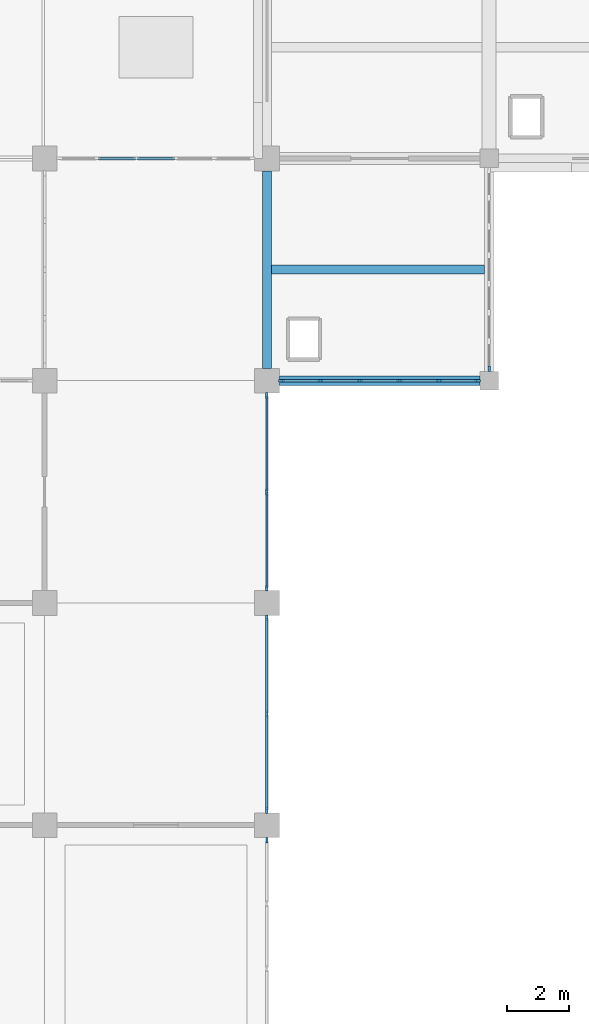
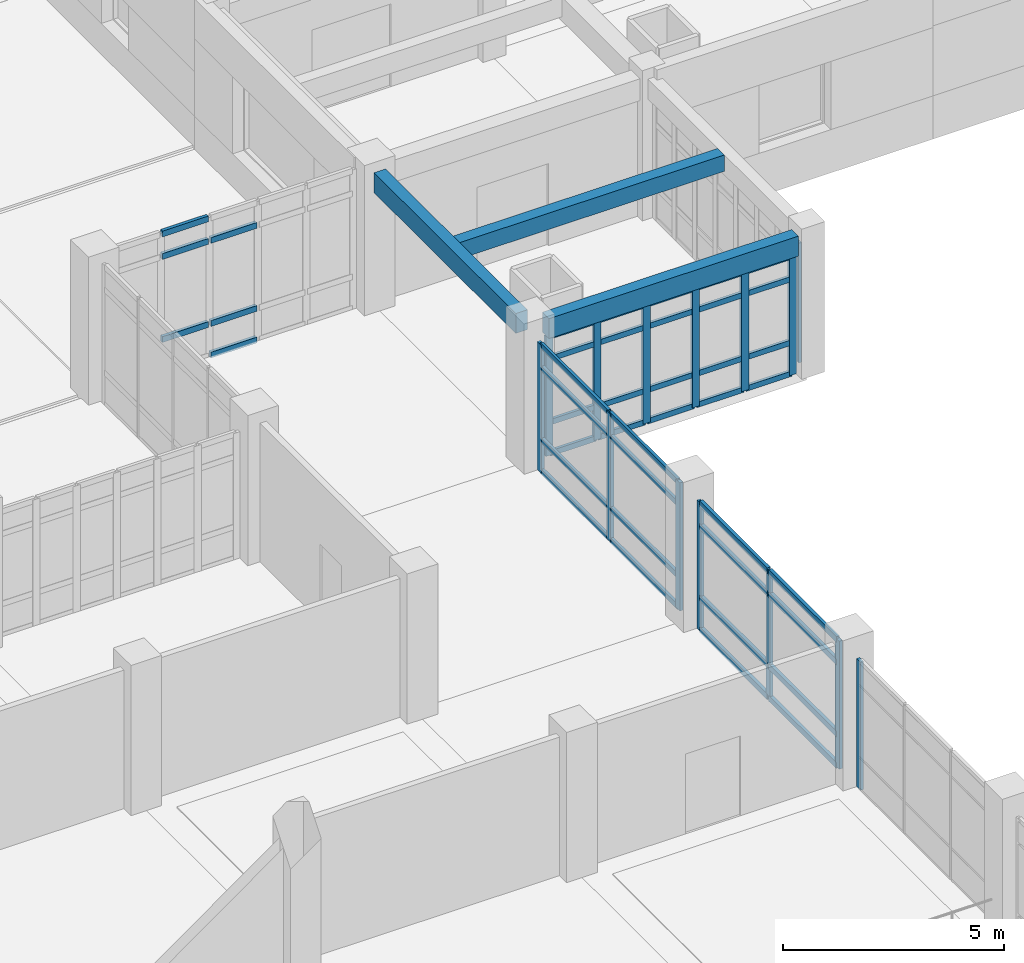
# One storey, part 12 of 62: 56 members, 3 beams, 6 elements without a shape of their own.
"""IFC4 building model written with IfcOpenShell, lengths in metres."""

from ifc_helpers import new_model, si_unit, direction, frame, origin, origin_2d, place, context, subcontext, project, spatial, rectangle, extrude, material, layer, layer_set, material_profile, profile_set, type_object, element, aggregate, save


model = new_model("IFC4")

# Units and contexts
model_context = context("Model", 3, precision=1e-05, world=origin(), true_north=direction((0.0, 1.0)))
body_context = subcontext(model_context, "Body", "Model", "MODEL_VIEW")
ifc_project = project(units=[si_unit("LENGTHUNIT", "METRE"), si_unit("AREAUNIT", "SQUARE_METRE"), si_unit("VOLUMEUNIT", "CUBIC_METRE"), si_unit("PLANEANGLEUNIT", "RADIAN"), si_unit("MASSUNIT", "GRAM", prefix="KILO")], contexts=[model_context])

# Site, building, storey
site_placement = place(None, origin())
site = spatial("IfcSite", under=ifc_project, at=site_placement, CompositionType="ELEMENT")
building_placement = place(site_placement, origin())
building = spatial("IfcBuilding", under=site, at=building_placement, Name="Kavelor Marine Aquarium", CompositionType="ELEMENT")
storey_placement = place(building_placement, frame((0.0, 0.0, 13.5)))
storey = spatial("IfcBuildingStorey", under=building, at=storey_placement, Name="L03", CompositionType="ELEMENT", Elevation=13.5)

# Beams
ifc_material_1 = material(Name="Concrete C40/50", Category="concrete")
ifc_material_profile_1 = material_profile(ifc_material_1, rectangle(XDim=0.300048828125, YDim=0.449951171875, at=origin_2d()), Name="RC-JS 300x450")
ifc_profile_set_1 = profile_set([ifc_material_profile_1], Name="Concrete C40/50")
beam_type_1 = type_object("IfcBeamType", Name="BM-JS1", PredefinedType="JOIST", material=ifc_profile_set_1)
beam_1_placement = place(storey_placement, frame((39.35009765625, 85.60009765625, 3.635009765625), z_axis=(1.0, 0.0, 0.0), x_axis=(0.0, 1.0, 0.0)))
element("IfcBeam", 1, at=beam_1_placement, inside=storey, type_object=beam_type_1, Name="js:L03:L04:05_11", PredefinedType="JOIST", context=body_context, shape_type="SweptSolid", body=[
    extrude(rectangle(XDim=0.300048828125, YDim=0.449951171875, at=origin_2d()), origin(), (0.0, 0.0, 1.0), 6.89990234375),
])
ifc_material_2 = material(Name="Concrete C40/50", Category="concrete")
ifc_material_profile_2 = material_profile(ifc_material_2, rectangle(XDim=0.300048828125, YDim=0.550048828125, at=origin_2d()), Name="RC-SP 300x550")
ifc_profile_set_2 = profile_set([ifc_material_profile_2], Name="Concrete C40/50")
beam_type_2 = type_object("IfcBeamType", Name="BM-SP2", PredefinedType="SPANDREL", material=ifc_profile_set_2)
beam_2_placement = place(storey_placement, frame((39.60009765625, 82.0, 3.5849609375), z_axis=(1.0, 0.0, 0.0), x_axis=(0.0, 1.0, 0.0)))
element("IfcBeam", 2, at=beam_2_placement, inside=storey, type_object=beam_type_2, Name="bm:x:L03:L04:05_11", PredefinedType="SPANDREL", context=body_context, shape_type="SweptSolid", body=[
    extrude(rectangle(XDim=0.300048828125, YDim=0.550048828125, at=origin_2d()), origin(), (0.0, 0.0, 1.0), 6.5),
])
beam_3_placement = place(storey_placement, frame((39.199951171875, 82.39990234375, 3.5849609375), z_axis=(0.0, 1.0, 0.0), x_axis=(-1.0, 0.0, 0.0)))
element("IfcBeam", 3, at=beam_3_placement, inside=storey, type_object=beam_type_2, Name="bm:y:L03:L04:05_11", PredefinedType="SPANDREL", context=body_context, shape_type="SweptSolid", body=[
    extrude(rectangle(XDim=0.300048828125, YDim=0.550048828125, at=origin_2d()), origin(), (0.0, 0.0, 1.0), 6.400146484375),
])

# Curtain wall, member
ifc_material_3 = material(Name="Thermally Broken Aluminium and Low-E Glass", Category="aluminium")
ifc_layer_1 = layer(ifc_material_3, 0.31591796875)
ifc_layer_set_1 = layer_set([ifc_layer_1], Name="CW-SYS22")
curtain_wall_type_1 = type_object("IfcCurtainWallType", Name="CW-SYS22", PredefinedType="USERDEFINED", material=ifc_layer_set_1)
curtain_wall_1_placement = place(storey_placement, origin())
curtain_wall_1 = element("IfcCurtainWall", 4, at=curtain_wall_1_placement, inside=storey, type_object=curtain_wall_type_1, Name="cw:y:L03:05_08", ObjectType="Curtain Wall", PredefinedType="USERDEFINED")
ifc_material_4 = material(Name="Anodised Aluminium Alloy 6063-T6", Category="aluminium")
ifc_material_profile_3 = material_profile(ifc_material_4, rectangle(XDim=0.074951171875, YDim=0.179931640625, at=origin_2d()), Name="CW-MUL 75x180")
ifc_profile_set_3 = profile_set([ifc_material_profile_3], Name="Anodised Aluminium Alloy 6063-T6")
member_type_1 = type_object("IfcMemberType", Name="CWM-1", PredefinedType="MULLION", material=ifc_profile_set_3)
member_1_placement = place(storey_placement, frame((39.199951171875, 67.117431640625, 0.0), z_axis=(0.0, 0.0, 1.0), x_axis=(-1.0, 0.0, 0.0)))
member_1 = element("IfcMember", 5, at=member_1_placement, type_object=member_type_1, Name="CW22 mullion 4", PredefinedType="MULLION", context=body_context, shape_type="SweptSolid", body=[
    extrude(rectangle(XDim=0.074951171875, YDim=0.179931640625, at=origin_2d()), origin(), (0.0, 0.0, 1.0), 3.530029296875),
])
aggregate(curtain_wall_1, [member_1])

ifc_material_5 = material(Name="Thermally Broken Aluminium and Low-E Glass", Category="aluminium")
ifc_layer_2 = layer(ifc_material_5, 0.14794921875)
ifc_layer_set_2 = layer_set([ifc_layer_2], Name="CW-SYS1")
curtain_wall_type_2 = type_object("IfcCurtainWallType", Name="CW-SYS1", PredefinedType="USERDEFINED", material=ifc_layer_set_2)
curtain_wall_2_placement = place(storey_placement, origin())
curtain_wall_2 = element("IfcCurtainWall", 6, at=curtain_wall_2_placement, inside=storey, type_object=curtain_wall_type_2, Name="cw:y:L03:06_11", ObjectType="Curtain Wall", PredefinedType="USERDEFINED")
member_2_placement = place(storey_placement, frame((46.39990234375, 82.382568359375, 0.0), z_axis=(0.0, 0.0, 1.0), x_axis=(-1.0, 0.0, 0.0)))
member_2 = element("IfcMember", 7, at=member_2_placement, type_object=member_type_1, Name="CW01 mullion 1", PredefinedType="MULLION", context=body_context, shape_type="SweptSolid", body=[
    extrude(rectangle(XDim=0.074951171875, YDim=0.179931640625, at=origin_2d()), origin(), (0.0, 0.0, 1.0), 3.300048828125),
])
aggregate(curtain_wall_2, [member_2])

# Curtain wall, members
ifc_material_6 = material(Name="Thermally Broken Aluminium and Low-E Glass", Category="aluminium")
ifc_layer_3 = layer(ifc_material_6, 0.323974609375)
ifc_layer_set_3 = layer_set([ifc_layer_3], Name="CW-SYS23")
curtain_wall_type_3 = type_object("IfcCurtainWallType", Name="CW-SYS23", PredefinedType="USERDEFINED", material=ifc_layer_set_3)
curtain_wall_3_placement = place(storey_placement, origin())
curtain_wall_3 = element("IfcCurtainWall", 8, at=curtain_wall_3_placement, inside=storey, type_object=curtain_wall_type_3, Name="cw:y:L03:05_09", ObjectType="Curtain Wall", PredefinedType="USERDEFINED")
ifc_material_7 = material(Name="Anodised Aluminium Alloy 6063-T6", Category="aluminium")
ifc_material_profile_4 = material_profile(ifc_material_7, rectangle(XDim=0.080078125, YDim=0.18505859375, at=origin_2d()), Name="CW-MUL 80x185")
ifc_profile_set_4 = profile_set([ifc_material_profile_4], Name="Anodised Aluminium Alloy 6063-T6")
member_type_2 = type_object("IfcMemberType", Name="CWM-2", PredefinedType="MULLION", material=ifc_profile_set_4)
member_3_placement = place(storey_placement, frame((39.199951171875, 68.077392578125, 0.0), z_axis=(0.0, 0.0, 1.0), x_axis=(-1.0, 0.0, 0.0)))
member_3 = element("IfcMember", 9, at=member_3_placement, type_object=member_type_2, Name="CW23 mullion 1", PredefinedType="MULLION", context=body_context, shape_type="SweptSolid", body=[
    extrude(rectangle(XDim=0.080078125, YDim=0.18505859375, at=origin_2d()), origin(), (0.0, 0.0, 1.0), 3.530029296875),
])
member_4_placement = place(storey_placement, frame((39.199951171875, 71.199951171875, 0.0), z_axis=(0.0, 0.0, 1.0), x_axis=(-1.0, 0.0, 0.0)))
member_4 = element("IfcMember", 10, at=member_4_placement, type_object=member_type_2, Name="CW23 mullion 2", PredefinedType="MULLION", context=body_context, shape_type="SweptSolid", body=[
    extrude(rectangle(XDim=0.080078125, YDim=0.18505859375, at=origin_2d()), origin(), (0.0, 0.0, 1.0), 3.530029296875),
])
member_5_placement = place(storey_placement, frame((39.199951171875, 74.322509765625, 0.0), z_axis=(0.0, 0.0, 1.0), x_axis=(-1.0, 0.0, 0.0)))
member_5 = element("IfcMember", 11, at=member_5_placement, type_object=member_type_2, Name="CW23 mullion 3", PredefinedType="MULLION", context=body_context, shape_type="SweptSolid", body=[
    extrude(rectangle(XDim=0.080078125, YDim=0.18505859375, at=origin_2d()), origin(), (0.0, 0.0, 1.0), 3.530029296875),
])

ifc_material_8 = material(Name="Thermally Broken Aluminium and Low-E Glass", Category="aluminium")
ifc_layer_4 = layer(ifc_material_8, 0.18798828125)
ifc_layer_set_4 = layer_set([ifc_layer_4], Name="CW-SYS6")
curtain_wall_type_4 = type_object("IfcCurtainWallType", Name="CW-SYS6", PredefinedType="USERDEFINED", material=ifc_layer_set_4)
curtain_wall_4_placement = place(storey_placement, origin())
curtain_wall_4 = element("IfcCurtainWall", 12, at=curtain_wall_4_placement, inside=storey, type_object=curtain_wall_type_4, Name="cw:x:L03:05_11", ObjectType="Curtain Wall", PredefinedType="USERDEFINED")
ifc_material_9 = material(Name="Anodised Aluminium Alloy 6063-T6", Category="aluminium")
ifc_material_profile_5 = material_profile(ifc_material_9, rectangle(XDim=0.0849609375, YDim=0.18994140625, at=origin_2d()), Name="CW-MUL 85x190")
ifc_profile_set_5 = profile_set([ifc_material_profile_5], Name="Anodised Aluminium Alloy 6063-T6")
member_type_3 = type_object("IfcMemberType", Name="CWM-3", PredefinedType="MULLION", material=ifc_profile_set_5)
member_6_placement = place(storey_placement, frame((46.02490234375, 82.0, 0.0), z_axis=(0.0, 0.0, 1.0), x_axis=(0.0, -1.0, 0.0)))
member_6 = element("IfcMember", 13, at=member_6_placement, type_object=member_type_3, Name="CW06 mullion 1", PredefinedType="MULLION", context=body_context, shape_type="SweptSolid", body=[
    extrude(rectangle(XDim=0.0849609375, YDim=0.18994140625, at=origin_2d()), origin(), (0.0, 0.0, 1.0), 3.300048828125),
])
member_7_placement = place(storey_placement, frame((44.77294921875, 82.0, 0.0), z_axis=(0.0, 0.0, 1.0), x_axis=(0.0, -1.0, 0.0)))
member_7 = element("IfcMember", 14, at=member_7_placement, type_object=member_type_3, Name="CW06 mullion 2", PredefinedType="MULLION", context=body_context, shape_type="SweptSolid", body=[
    extrude(rectangle(XDim=0.0849609375, YDim=0.18994140625, at=origin_2d()), origin(), (0.0, 0.0, 1.0), 3.300048828125),
])
member_8_placement = place(storey_placement, frame((43.490966796875, 82.0, 0.0), z_axis=(0.0, 0.0, 1.0), x_axis=(0.0, -1.0, 0.0)))
member_8 = element("IfcMember", 15, at=member_8_placement, type_object=member_type_3, Name="CW06 mullion 3", PredefinedType="MULLION", context=body_context, shape_type="SweptSolid", body=[
    extrude(rectangle(XDim=0.0849609375, YDim=0.18994140625, at=origin_2d()), origin(), (0.0, 0.0, 1.0), 3.300048828125),
])
member_9_placement = place(storey_placement, frame((42.208984375, 82.0, 0.0), z_axis=(0.0, 0.0, 1.0), x_axis=(0.0, -1.0, 0.0)))
member_9 = element("IfcMember", 16, at=member_9_placement, type_object=member_type_3, Name="CW06 mullion 4", PredefinedType="MULLION", context=body_context, shape_type="SweptSolid", body=[
    extrude(rectangle(XDim=0.0849609375, YDim=0.18994140625, at=origin_2d()), origin(), (0.0, 0.0, 1.0), 3.300048828125),
])
member_10_placement = place(storey_placement, frame((40.927001953125, 82.0, 0.0), z_axis=(0.0, 0.0, 1.0), x_axis=(0.0, -1.0, 0.0)))
member_10 = element("IfcMember", 17, at=member_10_placement, type_object=member_type_3, Name="CW06 mullion 5", PredefinedType="MULLION", context=body_context, shape_type="SweptSolid", body=[
    extrude(rectangle(XDim=0.0849609375, YDim=0.18994140625, at=origin_2d()), origin(), (0.0, 0.0, 1.0), 3.300048828125),
])
member_11_placement = place(storey_placement, frame((39.675048828125, 82.0, 0.0), z_axis=(0.0, 0.0, 1.0), x_axis=(0.0, -1.0, 0.0)))
member_11 = element("IfcMember", 18, at=member_11_placement, type_object=member_type_3, Name="CW06 mullion 6", PredefinedType="MULLION", context=body_context, shape_type="SweptSolid", body=[
    extrude(rectangle(XDim=0.0849609375, YDim=0.18994140625, at=origin_2d()), origin(), (0.0, 0.0, 1.0), 3.300048828125),
])

ifc_material_10 = material(Name="Thermally Broken Aluminium and Low-E Glass", Category="aluminium")
ifc_layer_5 = layer(ifc_material_10, 0.33203125)
ifc_layer_set_5 = layer_set([ifc_layer_5], Name="CW-SYS24")
curtain_wall_type_5 = type_object("IfcCurtainWallType", Name="CW-SYS24", PredefinedType="USERDEFINED", material=ifc_layer_set_5)
curtain_wall_5_placement = place(storey_placement, origin())
curtain_wall_5 = element("IfcCurtainWall", 19, at=curtain_wall_5_placement, inside=storey, type_object=curtain_wall_type_5, Name="cw:y:L03:05_10", ObjectType="Curtain Wall", PredefinedType="USERDEFINED")
member_12_placement = place(storey_placement, frame((39.199951171875, 75.27490234375, 0.0), z_axis=(0.0, 0.0, 1.0), x_axis=(-1.0, 0.0, 0.0)))
member_12 = element("IfcMember", 20, at=member_12_placement, type_object=member_type_3, Name="CW24 mullion 1", PredefinedType="MULLION", context=body_context, shape_type="SweptSolid", body=[
    extrude(rectangle(XDim=0.0849609375, YDim=0.18994140625, at=origin_2d()), origin(), (0.0, 0.0, 1.0), 3.530029296875),
])
member_13_placement = place(storey_placement, frame((39.199951171875, 78.39990234375, 0.0), z_axis=(0.0, 0.0, 1.0), x_axis=(-1.0, 0.0, 0.0)))
member_13 = element("IfcMember", 21, at=member_13_placement, type_object=member_type_3, Name="CW24 mullion 2", PredefinedType="MULLION", context=body_context, shape_type="SweptSolid", body=[
    extrude(rectangle(XDim=0.0849609375, YDim=0.18994140625, at=origin_2d()), origin(), (0.0, 0.0, 1.0), 3.530029296875),
])
member_14_placement = place(storey_placement, frame((39.199951171875, 81.52490234375, 0.0), z_axis=(0.0, 0.0, 1.0), x_axis=(-1.0, 0.0, 0.0)))
member_14 = element("IfcMember", 22, at=member_14_placement, type_object=member_type_3, Name="CW24 mullion 3", PredefinedType="MULLION", context=body_context, shape_type="SweptSolid", body=[
    extrude(rectangle(XDim=0.0849609375, YDim=0.18994140625, at=origin_2d()), origin(), (0.0, 0.0, 1.0), 3.530029296875),
])

# Member
ifc_material_11 = material(Name="Anodised Aluminium Alloy 6063-T6", Category="aluminium")
ifc_material_profile_6 = material_profile(ifc_material_11, rectangle(XDim=0.074951171875, YDim=0.14990234375, at=origin_2d()), Name="CW-TRN 75x150")
ifc_profile_set_6 = profile_set([ifc_material_profile_6], Name="Anodised Aluminium Alloy 6063-T6")
member_type_4 = type_object("IfcMemberType", Name="CWT-1", PredefinedType="USERDEFINED", material=ifc_profile_set_6)
member_15_placement = place(storey_placement, frame((45.9951171875, 82.0, 0.03759765625), z_axis=(-1.0, 0.0, 0.0), x_axis=(0.0, -1.0, 0.0)))
member_15 = element("IfcMember", 23, at=member_15_placement, type_object=member_type_4, Name="CW06 transom 1.1", ObjectType="TRANSOM", PredefinedType="USERDEFINED", context=body_context, shape_type="SweptSolid", body=[
    extrude(rectangle(XDim=0.074951171875, YDim=0.14990234375, at=origin_2d()), origin(), (0.0, 0.0, 1.0), 1.192138671875),
])

member_16_placement = place(storey_placement, frame((45.9951171875, 82.0, 0.89990234375), z_axis=(-1.0, 0.0, 0.0), x_axis=(0.0, -1.0, 0.0)))
member_16 = element("IfcMember", 24, at=member_16_placement, type_object=member_type_4, Name="CW06 transom 1.2", ObjectType="TRANSOM", PredefinedType="USERDEFINED", context=body_context, shape_type="SweptSolid", body=[
    extrude(rectangle(XDim=0.074951171875, YDim=0.14990234375, at=origin_2d()), origin(), (0.0, 0.0, 1.0), 1.192138671875),
])

member_17_placement = place(storey_placement, frame((45.9951171875, 82.0, 2.64990234375), z_axis=(-1.0, 0.0, 0.0), x_axis=(0.0, -1.0, 0.0)))
member_17 = element("IfcMember", 25, at=member_17_placement, type_object=member_type_4, Name="CW06 transom 1.3", ObjectType="TRANSOM", PredefinedType="USERDEFINED", context=body_context, shape_type="SweptSolid", body=[
    extrude(rectangle(XDim=0.074951171875, YDim=0.14990234375, at=origin_2d()), origin(), (0.0, 0.0, 1.0), 1.192138671875),
])

member_18_placement = place(storey_placement, frame((45.9951171875, 82.0, 3.262451171875), z_axis=(-1.0, 0.0, 0.0), x_axis=(0.0, -1.0, 0.0)))
member_18 = element("IfcMember", 26, at=member_18_placement, type_object=member_type_4, Name="CW06 transom 1.4", ObjectType="TRANSOM", PredefinedType="USERDEFINED", context=body_context, shape_type="SweptSolid", body=[
    extrude(rectangle(XDim=0.074951171875, YDim=0.14990234375, at=origin_2d()), origin(), (0.0, 0.0, 1.0), 1.192138671875),
])

member_19_placement = place(storey_placement, frame((44.742919921875, 82.0, 0.03759765625), z_axis=(-1.0, 0.0, 0.0), x_axis=(0.0, -1.0, 0.0)))
member_19 = element("IfcMember", 27, at=member_19_placement, type_object=member_type_4, Name="CW06 transom 2.1", ObjectType="TRANSOM", PredefinedType="USERDEFINED", context=body_context, shape_type="SweptSolid", body=[
    extrude(rectangle(XDim=0.074951171875, YDim=0.14990234375, at=origin_2d()), origin(), (0.0, 0.0, 1.0), 1.221923828125),
])

member_20_placement = place(storey_placement, frame((44.742919921875, 82.0, 0.89990234375), z_axis=(-1.0, 0.0, 0.0), x_axis=(0.0, -1.0, 0.0)))
member_20 = element("IfcMember", 28, at=member_20_placement, type_object=member_type_4, Name="CW06 transom 2.2", ObjectType="TRANSOM", PredefinedType="USERDEFINED", context=body_context, shape_type="SweptSolid", body=[
    extrude(rectangle(XDim=0.074951171875, YDim=0.14990234375, at=origin_2d()), origin(), (0.0, 0.0, 1.0), 1.221923828125),
])

member_21_placement = place(storey_placement, frame((44.742919921875, 82.0, 2.64990234375), z_axis=(-1.0, 0.0, 0.0), x_axis=(0.0, -1.0, 0.0)))
member_21 = element("IfcMember", 29, at=member_21_placement, type_object=member_type_4, Name="CW06 transom 2.3", ObjectType="TRANSOM", PredefinedType="USERDEFINED", context=body_context, shape_type="SweptSolid", body=[
    extrude(rectangle(XDim=0.074951171875, YDim=0.14990234375, at=origin_2d()), origin(), (0.0, 0.0, 1.0), 1.221923828125),
])

member_22_placement = place(storey_placement, frame((44.742919921875, 82.0, 3.262451171875), z_axis=(-1.0, 0.0, 0.0), x_axis=(0.0, -1.0, 0.0)))
member_22 = element("IfcMember", 30, at=member_22_placement, type_object=member_type_4, Name="CW06 transom 2.4", ObjectType="TRANSOM", PredefinedType="USERDEFINED", context=body_context, shape_type="SweptSolid", body=[
    extrude(rectangle(XDim=0.074951171875, YDim=0.14990234375, at=origin_2d()), origin(), (0.0, 0.0, 1.0), 1.221923828125),
])

member_23_placement = place(storey_placement, frame((43.4609375, 82.0, 0.03759765625), z_axis=(-1.0, 0.0, 0.0), x_axis=(0.0, -1.0, 0.0)))
member_23 = element("IfcMember", 31, at=member_23_placement, type_object=member_type_4, Name="CW06 transom 3.1", ObjectType="TRANSOM", PredefinedType="USERDEFINED", context=body_context, shape_type="SweptSolid", body=[
    extrude(rectangle(XDim=0.074951171875, YDim=0.14990234375, at=origin_2d()), origin(), (0.0, 0.0, 1.0), 1.221923828125),
])

member_24_placement = place(storey_placement, frame((43.4609375, 82.0, 0.89990234375), z_axis=(-1.0, 0.0, 0.0), x_axis=(0.0, -1.0, 0.0)))
member_24 = element("IfcMember", 32, at=member_24_placement, type_object=member_type_4, Name="CW06 transom 3.2", ObjectType="TRANSOM", PredefinedType="USERDEFINED", context=body_context, shape_type="SweptSolid", body=[
    extrude(rectangle(XDim=0.074951171875, YDim=0.14990234375, at=origin_2d()), origin(), (0.0, 0.0, 1.0), 1.221923828125),
])

member_25_placement = place(storey_placement, frame((43.4609375, 82.0, 2.64990234375), z_axis=(-1.0, 0.0, 0.0), x_axis=(0.0, -1.0, 0.0)))
member_25 = element("IfcMember", 33, at=member_25_placement, type_object=member_type_4, Name="CW06 transom 3.3", ObjectType="TRANSOM", PredefinedType="USERDEFINED", context=body_context, shape_type="SweptSolid", body=[
    extrude(rectangle(XDim=0.074951171875, YDim=0.14990234375, at=origin_2d()), origin(), (0.0, 0.0, 1.0), 1.221923828125),
])

member_26_placement = place(storey_placement, frame((43.4609375, 82.0, 3.262451171875), z_axis=(-1.0, 0.0, 0.0), x_axis=(0.0, -1.0, 0.0)))
member_26 = element("IfcMember", 34, at=member_26_placement, type_object=member_type_4, Name="CW06 transom 3.4", ObjectType="TRANSOM", PredefinedType="USERDEFINED", context=body_context, shape_type="SweptSolid", body=[
    extrude(rectangle(XDim=0.074951171875, YDim=0.14990234375, at=origin_2d()), origin(), (0.0, 0.0, 1.0), 1.221923828125),
])

member_27_placement = place(storey_placement, frame((42.178955078125, 82.0, 0.03759765625), z_axis=(-1.0, 0.0, 0.0), x_axis=(0.0, -1.0, 0.0)))
member_27 = element("IfcMember", 35, at=member_27_placement, type_object=member_type_4, Name="CW06 transom 4.1", ObjectType="TRANSOM", PredefinedType="USERDEFINED", context=body_context, shape_type="SweptSolid", body=[
    extrude(rectangle(XDim=0.074951171875, YDim=0.14990234375, at=origin_2d()), origin(), (0.0, 0.0, 1.0), 1.221923828125),
])

member_28_placement = place(storey_placement, frame((42.178955078125, 82.0, 0.89990234375), z_axis=(-1.0, 0.0, 0.0), x_axis=(0.0, -1.0, 0.0)))
member_28 = element("IfcMember", 36, at=member_28_placement, type_object=member_type_4, Name="CW06 transom 4.2", ObjectType="TRANSOM", PredefinedType="USERDEFINED", context=body_context, shape_type="SweptSolid", body=[
    extrude(rectangle(XDim=0.074951171875, YDim=0.14990234375, at=origin_2d()), origin(), (0.0, 0.0, 1.0), 1.221923828125),
])

member_29_placement = place(storey_placement, frame((42.178955078125, 82.0, 2.64990234375), z_axis=(-1.0, 0.0, 0.0), x_axis=(0.0, -1.0, 0.0)))
member_29 = element("IfcMember", 37, at=member_29_placement, type_object=member_type_4, Name="CW06 transom 4.3", ObjectType="TRANSOM", PredefinedType="USERDEFINED", context=body_context, shape_type="SweptSolid", body=[
    extrude(rectangle(XDim=0.074951171875, YDim=0.14990234375, at=origin_2d()), origin(), (0.0, 0.0, 1.0), 1.221923828125),
])

member_30_placement = place(storey_placement, frame((42.178955078125, 82.0, 3.262451171875), z_axis=(-1.0, 0.0, 0.0), x_axis=(0.0, -1.0, 0.0)))
member_30 = element("IfcMember", 38, at=member_30_placement, type_object=member_type_4, Name="CW06 transom 4.4", ObjectType="TRANSOM", PredefinedType="USERDEFINED", context=body_context, shape_type="SweptSolid", body=[
    extrude(rectangle(XDim=0.074951171875, YDim=0.14990234375, at=origin_2d()), origin(), (0.0, 0.0, 1.0), 1.221923828125),
])

member_31_placement = place(storey_placement, frame((40.89697265625, 82.0, 0.03759765625), z_axis=(-1.0, 0.0, 0.0), x_axis=(0.0, -1.0, 0.0)))
member_31 = element("IfcMember", 39, at=member_31_placement, type_object=member_type_4, Name="CW06 transom 5.1", ObjectType="TRANSOM", PredefinedType="USERDEFINED", context=body_context, shape_type="SweptSolid", body=[
    extrude(rectangle(XDim=0.074951171875, YDim=0.14990234375, at=origin_2d()), origin(), (0.0, 0.0, 1.0), 1.19189453125),
])

member_32_placement = place(storey_placement, frame((40.89697265625, 82.0, 0.89990234375), z_axis=(-1.0, 0.0, 0.0), x_axis=(0.0, -1.0, 0.0)))
member_32 = element("IfcMember", 40, at=member_32_placement, type_object=member_type_4, Name="CW06 transom 5.2", ObjectType="TRANSOM", PredefinedType="USERDEFINED", context=body_context, shape_type="SweptSolid", body=[
    extrude(rectangle(XDim=0.074951171875, YDim=0.14990234375, at=origin_2d()), origin(), (0.0, 0.0, 1.0), 1.19189453125),
])

member_33_placement = place(storey_placement, frame((40.89697265625, 82.0, 2.64990234375), z_axis=(-1.0, 0.0, 0.0), x_axis=(0.0, -1.0, 0.0)))
member_33 = element("IfcMember", 41, at=member_33_placement, type_object=member_type_4, Name="CW06 transom 5.3", ObjectType="TRANSOM", PredefinedType="USERDEFINED", context=body_context, shape_type="SweptSolid", body=[
    extrude(rectangle(XDim=0.074951171875, YDim=0.14990234375, at=origin_2d()), origin(), (0.0, 0.0, 1.0), 1.19189453125),
])

member_34_placement = place(storey_placement, frame((40.89697265625, 82.0, 3.262451171875), z_axis=(-1.0, 0.0, 0.0), x_axis=(0.0, -1.0, 0.0)))
member_34 = element("IfcMember", 42, at=member_34_placement, type_object=member_type_4, Name="CW06 transom 5.4", ObjectType="TRANSOM", PredefinedType="USERDEFINED", context=body_context, shape_type="SweptSolid", body=[
    extrude(rectangle(XDim=0.074951171875, YDim=0.14990234375, at=origin_2d()), origin(), (0.0, 0.0, 1.0), 1.19189453125),
])

aggregate(curtain_wall_4, [member_6, member_7, member_8, member_9, member_10, member_11, member_15, member_16, member_17, member_18, member_19, member_20, member_21, member_22, member_23, member_24, member_25, member_26, member_27, member_28, member_29, member_30, member_31, member_32, member_33, member_34])

member_35_placement = place(storey_placement, frame((39.199951171875, 75.304931640625, 0.03759765625), z_axis=(0.0, 1.0, 0.0), x_axis=(-1.0, 0.0, 0.0)))
member_35 = element("IfcMember", 43, at=member_35_placement, type_object=member_type_4, Name="CW24 transom 1.1", ObjectType="TRANSOM", PredefinedType="USERDEFINED", context=body_context, shape_type="SweptSolid", body=[
    extrude(rectangle(XDim=0.074951171875, YDim=0.14990234375, at=origin_2d()), origin(), (0.0, 0.0, 1.0), 3.065185546875),
])

member_36_placement = place(storey_placement, frame((39.199951171875, 75.304931640625, 0.89990234375), z_axis=(0.0, 1.0, 0.0), x_axis=(-1.0, 0.0, 0.0)))
member_36 = element("IfcMember", 44, at=member_36_placement, type_object=member_type_4, Name="CW24 transom 1.2", ObjectType="TRANSOM", PredefinedType="USERDEFINED", context=body_context, shape_type="SweptSolid", body=[
    extrude(rectangle(XDim=0.074951171875, YDim=0.14990234375, at=origin_2d()), origin(), (0.0, 0.0, 1.0), 3.065185546875),
])

member_37_placement = place(storey_placement, frame((39.199951171875, 75.304931640625, 2.8798828125), z_axis=(0.0, 1.0, 0.0), x_axis=(-1.0, 0.0, 0.0)))
member_37 = element("IfcMember", 45, at=member_37_placement, type_object=member_type_4, Name="CW24 transom 1.3", ObjectType="TRANSOM", PredefinedType="USERDEFINED", context=body_context, shape_type="SweptSolid", body=[
    extrude(rectangle(XDim=0.074951171875, YDim=0.14990234375, at=origin_2d()), origin(), (0.0, 0.0, 1.0), 3.065185546875),
])

member_38_placement = place(storey_placement, frame((39.199951171875, 75.304931640625, 3.492431640625), z_axis=(0.0, 1.0, 0.0), x_axis=(-1.0, 0.0, 0.0)))
member_38 = element("IfcMember", 46, at=member_38_placement, type_object=member_type_4, Name="CW24 transom 1.4", ObjectType="TRANSOM", PredefinedType="USERDEFINED", context=body_context, shape_type="SweptSolid", body=[
    extrude(rectangle(XDim=0.074951171875, YDim=0.14990234375, at=origin_2d()), origin(), (0.0, 0.0, 1.0), 3.065185546875),
])

member_39_placement = place(storey_placement, frame((39.199951171875, 78.429931640625, 0.03759765625), z_axis=(0.0, 1.0, 0.0), x_axis=(-1.0, 0.0, 0.0)))
member_39 = element("IfcMember", 47, at=member_39_placement, type_object=member_type_4, Name="CW24 transom 2.1", ObjectType="TRANSOM", PredefinedType="USERDEFINED", context=body_context, shape_type="SweptSolid", body=[
    extrude(rectangle(XDim=0.074951171875, YDim=0.14990234375, at=origin_2d()), origin(), (0.0, 0.0, 1.0), 3.065185546875),
])

member_40_placement = place(storey_placement, frame((39.199951171875, 78.429931640625, 0.89990234375), z_axis=(0.0, 1.0, 0.0), x_axis=(-1.0, 0.0, 0.0)))
member_40 = element("IfcMember", 48, at=member_40_placement, type_object=member_type_4, Name="CW24 transom 2.2", ObjectType="TRANSOM", PredefinedType="USERDEFINED", context=body_context, shape_type="SweptSolid", body=[
    extrude(rectangle(XDim=0.074951171875, YDim=0.14990234375, at=origin_2d()), origin(), (0.0, 0.0, 1.0), 3.065185546875),
])

member_41_placement = place(storey_placement, frame((39.199951171875, 78.429931640625, 2.8798828125), z_axis=(0.0, 1.0, 0.0), x_axis=(-1.0, 0.0, 0.0)))
member_41 = element("IfcMember", 49, at=member_41_placement, type_object=member_type_4, Name="CW24 transom 2.3", ObjectType="TRANSOM", PredefinedType="USERDEFINED", context=body_context, shape_type="SweptSolid", body=[
    extrude(rectangle(XDim=0.074951171875, YDim=0.14990234375, at=origin_2d()), origin(), (0.0, 0.0, 1.0), 3.065185546875),
])

member_42_placement = place(storey_placement, frame((39.199951171875, 78.429931640625, 3.492431640625), z_axis=(0.0, 1.0, 0.0), x_axis=(-1.0, 0.0, 0.0)))
member_42 = element("IfcMember", 50, at=member_42_placement, type_object=member_type_4, Name="CW24 transom 2.4", ObjectType="TRANSOM", PredefinedType="USERDEFINED", context=body_context, shape_type="SweptSolid", body=[
    extrude(rectangle(XDim=0.074951171875, YDim=0.14990234375, at=origin_2d()), origin(), (0.0, 0.0, 1.0), 3.065185546875),
])

aggregate(curtain_wall_5, [member_12, member_13, member_14, member_35, member_36, member_37, member_38, member_39, member_40, member_41, member_42])

# Curtain wall, members
ifc_material_12 = material(Name="Thermally Broken Aluminium and Low-E Glass", Category="aluminium")
ifc_layer_6 = layer(ifc_material_12, 0.179931640625)
ifc_layer_set_6 = layer_set([ifc_layer_6], Name="CW-SYS5")
curtain_wall_type_6 = type_object("IfcCurtainWallType", Name="CW-SYS5", PredefinedType="USERDEFINED", material=ifc_layer_set_6)
curtain_wall_6_placement = place(storey_placement, origin())
curtain_wall_6 = element("IfcCurtainWall", 51, at=curtain_wall_6_placement, inside=storey, type_object=curtain_wall_type_6, Name="cw:x:L03:04_12", ObjectType="Curtain Wall", PredefinedType="USERDEFINED")
ifc_material_13 = material(Name="Anodised Aluminium Alloy 6063-T6", Category="aluminium")
ifc_material_profile_7 = material_profile(ifc_material_13, rectangle(XDim=0.0849609375, YDim=0.159912109375, at=origin_2d()), Name="CW-TRN 85x160")
ifc_profile_set_7 = profile_set([ifc_material_profile_7], Name="Anodised Aluminium Alloy 6063-T6")
member_type_5 = type_object("IfcMemberType", Name="CWT-3", PredefinedType="USERDEFINED", material=ifc_profile_set_7)
member_43_placement = place(storey_placement, frame((33.739501953125, 89.199951171875, 0.89990234375), z_axis=(1.0, 0.0, 0.0), x_axis=(0.0, 1.0, 0.0)))
member_43 = element("IfcMember", 52, at=member_43_placement, type_object=member_type_5, Name="CW05 transom 2.2", ObjectType="TRANSOM", PredefinedType="USERDEFINED", context=body_context, shape_type="SweptSolid", body=[
    extrude(rectangle(XDim=0.0849609375, YDim=0.159912109375, at=origin_2d()), origin(), (0.0, 0.0, 1.0), 1.197021484375),
])
member_44_placement = place(storey_placement, frame((33.739501953125, 89.199951171875, 3.18994140625), z_axis=(1.0, 0.0, 0.0), x_axis=(0.0, 1.0, 0.0)))
member_44 = element("IfcMember", 53, at=member_44_placement, type_object=member_type_5, Name="CW05 transom 2.3", ObjectType="TRANSOM", PredefinedType="USERDEFINED", context=body_context, shape_type="SweptSolid", body=[
    extrude(rectangle(XDim=0.0849609375, YDim=0.159912109375, at=origin_2d()), origin(), (0.0, 0.0, 1.0), 1.197021484375),
])
member_45_placement = place(storey_placement, frame((33.739501953125, 89.199951171875, 3.81005859375), z_axis=(1.0, 0.0, 0.0), x_axis=(0.0, 1.0, 0.0)))
member_45 = element("IfcMember", 54, at=member_45_placement, type_object=member_type_5, Name="CW05 transom 2.4", ObjectType="TRANSOM", PredefinedType="USERDEFINED", context=body_context, shape_type="SweptSolid", body=[
    extrude(rectangle(XDim=0.0849609375, YDim=0.159912109375, at=origin_2d()), origin(), (0.0, 0.0, 1.0), 1.197021484375),
])
member_46_placement = place(storey_placement, frame((35.00146484375, 89.199951171875, 0.030029296875), z_axis=(1.0, 0.0, 0.0), x_axis=(0.0, 1.0, 0.0)))
member_46 = element("IfcMember", 55, at=member_46_placement, type_object=member_type_5, Name="CW05 transom 3.1", ObjectType="TRANSOM", PredefinedType="USERDEFINED", context=body_context, shape_type="SweptSolid", body=[
    extrude(rectangle(XDim=0.0849609375, YDim=0.159912109375, at=origin_2d()), origin(), (0.0, 0.0, 1.0), 1.197021484375),
])
member_47_placement = place(storey_placement, frame((35.00146484375, 89.199951171875, 0.89990234375), z_axis=(1.0, 0.0, 0.0), x_axis=(0.0, 1.0, 0.0)))
member_47 = element("IfcMember", 56, at=member_47_placement, type_object=member_type_5, Name="CW05 transom 3.2", ObjectType="TRANSOM", PredefinedType="USERDEFINED", context=body_context, shape_type="SweptSolid", body=[
    extrude(rectangle(XDim=0.0849609375, YDim=0.159912109375, at=origin_2d()), origin(), (0.0, 0.0, 1.0), 1.197021484375),
])
member_48_placement = place(storey_placement, frame((35.00146484375, 89.199951171875, 3.18994140625), z_axis=(1.0, 0.0, 0.0), x_axis=(0.0, 1.0, 0.0)))
member_48 = element("IfcMember", 57, at=member_48_placement, type_object=member_type_5, Name="CW05 transom 3.3", ObjectType="TRANSOM", PredefinedType="USERDEFINED", context=body_context, shape_type="SweptSolid", body=[
    extrude(rectangle(XDim=0.0849609375, YDim=0.159912109375, at=origin_2d()), origin(), (0.0, 0.0, 1.0), 1.197021484375),
])
aggregate(curtain_wall_6, [member_43, member_44, member_45, member_46, member_47, member_48])

# Member
member_49_placement = place(storey_placement, frame((39.199951171875, 68.110107421875, 0.030029296875), z_axis=(0.0, 1.0, 0.0), x_axis=(-1.0, 0.0, 0.0)))
member_49 = element("IfcMember", 58, at=member_49_placement, type_object=member_type_5, Name="CW23 transom 1.1", ObjectType="TRANSOM", PredefinedType="USERDEFINED", context=body_context, shape_type="SweptSolid", body=[
    extrude(rectangle(XDim=0.0849609375, YDim=0.159912109375, at=origin_2d()), origin(), (0.0, 0.0, 1.0), 3.057373046875),
])

member_50_placement = place(storey_placement, frame((39.199951171875, 68.110107421875, 0.89990234375), z_axis=(0.0, 1.0, 0.0), x_axis=(-1.0, 0.0, 0.0)))
member_50 = element("IfcMember", 59, at=member_50_placement, type_object=member_type_5, Name="CW23 transom 1.2", ObjectType="TRANSOM", PredefinedType="USERDEFINED", context=body_context, shape_type="SweptSolid", body=[
    extrude(rectangle(XDim=0.0849609375, YDim=0.159912109375, at=origin_2d()), origin(), (0.0, 0.0, 1.0), 3.057373046875),
])

member_51_placement = place(storey_placement, frame((39.199951171875, 68.110107421875, 2.8798828125), z_axis=(0.0, 1.0, 0.0), x_axis=(-1.0, 0.0, 0.0)))
member_51 = element("IfcMember", 60, at=member_51_placement, type_object=member_type_5, Name="CW23 transom 1.3", ObjectType="TRANSOM", PredefinedType="USERDEFINED", context=body_context, shape_type="SweptSolid", body=[
    extrude(rectangle(XDim=0.0849609375, YDim=0.159912109375, at=origin_2d()), origin(), (0.0, 0.0, 1.0), 3.057373046875),
])

member_52_placement = place(storey_placement, frame((39.199951171875, 68.110107421875, 3.5), z_axis=(0.0, 1.0, 0.0), x_axis=(-1.0, 0.0, 0.0)))
member_52 = element("IfcMember", 61, at=member_52_placement, type_object=member_type_5, Name="CW23 transom 1.4", ObjectType="TRANSOM", PredefinedType="USERDEFINED", context=body_context, shape_type="SweptSolid", body=[
    extrude(rectangle(XDim=0.0849609375, YDim=0.159912109375, at=origin_2d()), origin(), (0.0, 0.0, 1.0), 3.057373046875),
])

member_53_placement = place(storey_placement, frame((39.199951171875, 71.232421875, 0.030029296875), z_axis=(0.0, 1.0, 0.0), x_axis=(-1.0, 0.0, 0.0)))
member_53 = element("IfcMember", 62, at=member_53_placement, type_object=member_type_5, Name="CW23 transom 2.1", ObjectType="TRANSOM", PredefinedType="USERDEFINED", context=body_context, shape_type="SweptSolid", body=[
    extrude(rectangle(XDim=0.0849609375, YDim=0.159912109375, at=origin_2d()), origin(), (0.0, 0.0, 1.0), 3.0576171875),
])

member_54_placement = place(storey_placement, frame((39.199951171875, 71.232421875, 0.89990234375), z_axis=(0.0, 1.0, 0.0), x_axis=(-1.0, 0.0, 0.0)))
member_54 = element("IfcMember", 63, at=member_54_placement, type_object=member_type_5, Name="CW23 transom 2.2", ObjectType="TRANSOM", PredefinedType="USERDEFINED", context=body_context, shape_type="SweptSolid", body=[
    extrude(rectangle(XDim=0.0849609375, YDim=0.159912109375, at=origin_2d()), origin(), (0.0, 0.0, 1.0), 3.0576171875),
])

member_55_placement = place(storey_placement, frame((39.199951171875, 71.232421875, 2.8798828125), z_axis=(0.0, 1.0, 0.0), x_axis=(-1.0, 0.0, 0.0)))
member_55 = element("IfcMember", 64, at=member_55_placement, type_object=member_type_5, Name="CW23 transom 2.3", ObjectType="TRANSOM", PredefinedType="USERDEFINED", context=body_context, shape_type="SweptSolid", body=[
    extrude(rectangle(XDim=0.0849609375, YDim=0.159912109375, at=origin_2d()), origin(), (0.0, 0.0, 1.0), 3.0576171875),
])

member_56_placement = place(storey_placement, frame((39.199951171875, 71.232421875, 3.5), z_axis=(0.0, 1.0, 0.0), x_axis=(-1.0, 0.0, 0.0)))
member_56 = element("IfcMember", 65, at=member_56_placement, type_object=member_type_5, Name="CW23 transom 2.4", ObjectType="TRANSOM", PredefinedType="USERDEFINED", context=body_context, shape_type="SweptSolid", body=[
    extrude(rectangle(XDim=0.0849609375, YDim=0.159912109375, at=origin_2d()), origin(), (0.0, 0.0, 1.0), 3.0576171875),
])

aggregate(curtain_wall_3, [member_3, member_4, member_5, member_49, member_50, member_51, member_52, member_53, member_54, member_55, member_56])

save(model, "model.ifc")
